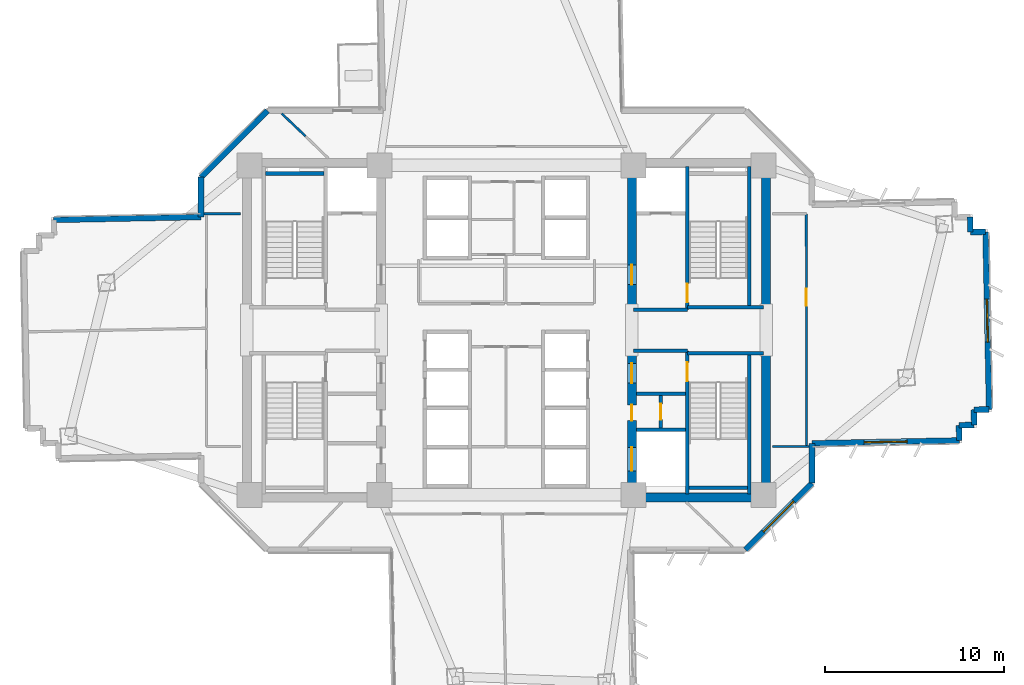
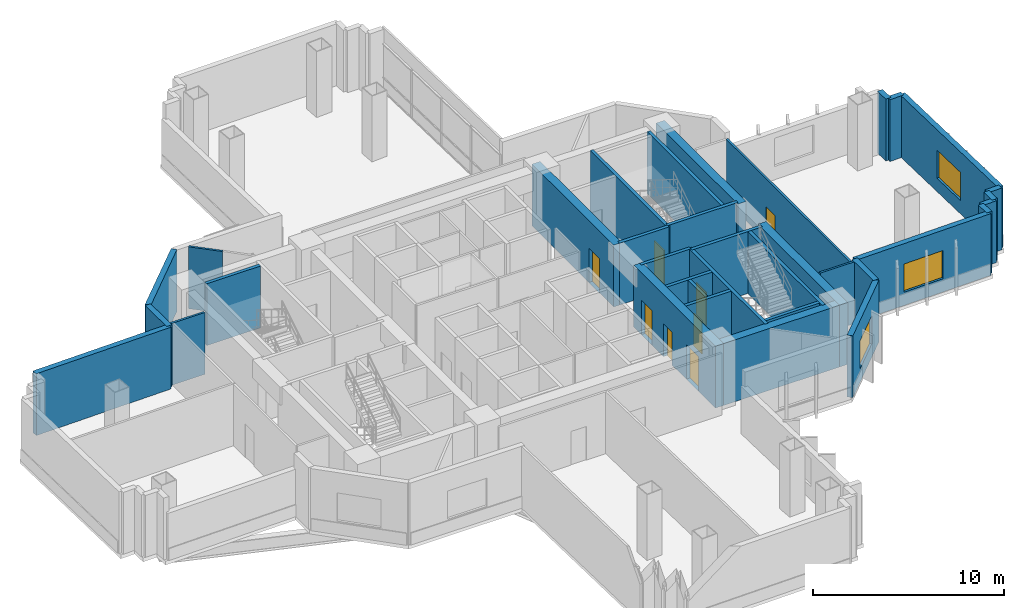
# One storey, part 8 of 15: 35 walls, 8 doors, 3 windows, 11 openings.
"""IFC4 building model written with IfcOpenShell, lengths in metres."""

from ifc_helpers import new_model, si_unit, direction, frame, frame_2d, origin, place, context, subcontext, project, spatial, rectangle, extrude, source, transform, mapped, material, layer, layer_set, type_object, element, fill, save


model = new_model("IFC4")

# Units and contexts
model_context = context("Model", 3, precision=1e-05, world=origin(), true_north=direction((0.0, 1.0)))
body_context = subcontext(model_context, "Body", "Model", "MODEL_VIEW")
ifc_project = project(units=[si_unit("LENGTHUNIT", "METRE"), si_unit("AREAUNIT", "SQUARE_METRE"), si_unit("VOLUMEUNIT", "CUBIC_METRE"), si_unit("PLANEANGLEUNIT", "RADIAN"), si_unit("MASSUNIT", "GRAM", prefix="KILO")], contexts=[model_context])

# Site, building, storey
site_placement = place(None, origin())
site = spatial("IfcSite", under=ifc_project, at=site_placement, CompositionType="ELEMENT")
building_placement = place(site_placement, origin())
building = spatial("IfcBuilding", under=site, at=building_placement, Name="Zahravan Cultural Tower", CompositionType="ELEMENT")
storey_placement = place(building_placement, frame((0.0, 0.0, 50.10009765625)))
storey = spatial("IfcBuildingStorey", under=building, at=storey_placement, Name="L10", CompositionType="ELEMENT", Elevation=50.10009765625)

# Wall, openings, doors
ifc_material_1 = material(Name="Concrete C60/75", Category="concrete")
ifc_layer_1 = layer(ifc_material_1, 0.5)
ifc_layer_set_1 = layer_set([ifc_layer_1], Name="Concrete C60/75")
wall_type_1 = type_object("IfcWallType", Name="CW-SHEAR-500-C60", PredefinedType="SHEAR", material=ifc_layer_set_1)
wall_1_placement = place(storey_placement, frame((43.0, 17.39990234375, 0.0), z_axis=(0.0, 0.0, 1.0), x_axis=(0.0, 1.0, 0.0)))
wall_1 = element("IfcWall", 1, at=wall_1_placement, inside=storey, type_object=wall_type_1, Name="L10 Core Shear Wall CW-E-WS-L10", PredefinedType="SHEAR", context=body_context, shape_type="SweptSolid", body=[
    extrude(rectangle(XDim=8.550048828125, YDim=0.5, at=frame_2d((4.27490234375, 0.0))), origin(), (0.0, 0.0, 1.0), 3.949951171875),
])
opening_1_placement = place(wall_1_placement, frame((6.64990234375, 0.0, 0.0)))
opening_1 = element("IfcOpeningElement", 2, at=opening_1_placement, cuts=wall_1, Name="Opening D-L10-08", PredefinedType="OPENING", context=body_context, shape_type="SweptSolid", body=[
    extrude(rectangle(XDim=1.10009765625, YDim=2.199951171875, at=frame_2d((0.550048828125, 1.10009765625))), frame((0.0, 0.260009765625, 0.0), z_axis=(0.0, -1.0, 0.0), x_axis=(1.0, 0.0, 0.0)), (0.0, 0.0, 1.0), 0.52001953125),
])
opening_2_placement = place(wall_1_placement, frame((1.75, 0.0, 0.0)))
opening_2 = element("IfcOpeningElement", 3, at=opening_2_placement, cuts=wall_1, Name="Opening LD-L10-03", PredefinedType="OPENING", context=body_context, shape_type="SweptSolid", body=[
    extrude(rectangle(XDim=1.300048828125, YDim=2.199951171875, at=frame_2d((0.64990234375, 1.10009765625))), frame((0.0, 0.260009765625, 0.0), z_axis=(0.0, -1.0, 0.0), x_axis=(1.0, 0.0, 0.0)), (0.0, 0.0, 1.0), 0.52001953125),
])
opening_3_placement = place(wall_1_placement, frame((4.550048828125, 0.0, 0.0)))
opening_3 = element("IfcOpeningElement", 4, at=opening_3_placement, cuts=wall_1, Name="Opening D-L10-11", PredefinedType="OPENING", context=body_context, shape_type="SweptSolid", body=[
    extrude(rectangle(XDim=0.8798828125, YDim=2.10009765625, at=frame_2d((0.43994140625, 1.050048828125))), frame((0.0, 0.260009765625, 0.0), z_axis=(0.0, -1.0, 0.0), x_axis=(1.0, 0.0, 0.0)), (0.0, 0.0, 1.0), 0.52001953125),
])
ifc_material_2 = material(Name="Steel ASTM A572 Grade 50", Category="steel")
door_type_1 = type_object("IfcDoorType", Name="DR-LOBBY-1100", OperationType="NOTDEFINED", PredefinedType="DOOR", material=ifc_material_2)
shared_shape_1 = source(origin(), body_context, "Body", "SweptSolid", [
    extrude(rectangle(XDim=1.10009765625, YDim=2.199951171875, at=frame_2d((0.550048828125, 1.10009765625))), frame((0.0, 0.02490234375, 0.0), z_axis=(0.0, -1.0, 0.0), x_axis=(1.0, 0.0, 0.0)), (0.0, 0.0, 1.0), 0.050048828125),
])
door_1_placement = place(opening_1_placement, origin())
door_1 = element("IfcDoor", 5, at=door_1_placement, inside=storey, type_object=door_type_1, Name="L10 Door D-L10-08", OperationType="SINGLE_SWING_LEFT", OverallHeight=2.199951171875, OverallWidth=1.10009765625, PredefinedType="DOOR", context=body_context, shape_type="MappedRepresentation", body=[
    mapped(shared_shape_1, transform((0.0, 0.0, 0.0), x_axis=(1.0, 0.0, 0.0), y_axis=(0.0, 1.0, 0.0), z_axis=(0.0, 0.0, 1.0), scale=1.0)),
])
fill(opening_1, door_1)
door_type_2 = type_object("IfcDoorType", Name="DR-LIFT-1300", OperationType="DOUBLE_DOOR_SLIDING", PredefinedType="DOOR", material=ifc_material_2)
shared_shape_2 = source(origin(), body_context, "Body", "SweptSolid", [
    extrude(rectangle(XDim=1.300048828125, YDim=2.199951171875, at=frame_2d((0.64990234375, 1.10009765625))), frame((0.0, 0.02490234375, 0.0), z_axis=(0.0, -1.0, 0.0), x_axis=(1.0, 0.0, 0.0)), (0.0, 0.0, 1.0), 0.050048828125),
])
door_2_placement = place(opening_2_placement, origin())
door_2 = element("IfcDoor", 6, at=door_2_placement, inside=storey, type_object=door_type_2, Name="L10 Door LD-L10-03", OperationType="DOUBLE_DOOR_SLIDING", OverallHeight=2.199951171875, OverallWidth=1.300048828125, PredefinedType="DOOR", context=body_context, shape_type="MappedRepresentation", body=[
    mapped(shared_shape_2, transform((0.0, 0.0, 0.0), x_axis=(1.0, 0.0, 0.0), y_axis=(0.0, 1.0, 0.0), z_axis=(0.0, 0.0, 1.0), scale=1.0)),
])
fill(opening_2, door_2)
door_type_3 = type_object("IfcDoorType", Name="DR-SVC-880", OperationType="NOTDEFINED", PredefinedType="DOOR", material=ifc_material_2)
shared_shape_3 = source(origin(), body_context, "Body", "SweptSolid", [
    extrude(rectangle(XDim=0.8798828125, YDim=2.10009765625, at=frame_2d((0.43994140625, 1.050048828125))), frame((0.0, 0.02490234375, 0.0), z_axis=(0.0, -1.0, 0.0), x_axis=(1.0, 0.0, 0.0)), (0.0, 0.0, 1.0), 0.050048828125),
])
door_3_placement = place(opening_3_placement, origin())
door_3 = element("IfcDoor", 7, at=door_3_placement, inside=storey, type_object=door_type_3, Name="L10 Door D-L10-11", OperationType="SINGLE_SWING_RIGHT", OverallHeight=2.10009765625, OverallWidth=0.8798828125, PredefinedType="DOOR", context=body_context, shape_type="MappedRepresentation", body=[
    mapped(shared_shape_3, transform((0.0, 0.0, 0.0), x_axis=(1.0, 0.0, 0.0), y_axis=(0.0, 1.0, 0.0), z_axis=(0.0, 0.0, 1.0), scale=1.0)),
])
fill(opening_3, door_3)

# Wall, opening, door
wall_2_placement = place(storey_placement, frame((43.0, 28.050048828125, 0.0), z_axis=(0.0, 0.0, 1.0), x_axis=(0.0, 1.0, 0.0)))
wall_2 = element("IfcWall", 8, at=wall_2_placement, inside=storey, type_object=wall_type_1, Name="L10 Core Shear Wall CW-E-WN-L10", PredefinedType="SHEAR", context=body_context, shape_type="SweptSolid", body=[
    extrude(rectangle(XDim=8.550048828125, YDim=0.5, at=frame_2d((4.27490234375, 0.0))), origin(), (0.0, 0.0, 1.0), 3.949951171875),
])
opening_4_placement = place(wall_2_placement, frame((1.5, 0.0, 0.0)))
opening_4 = element("IfcOpeningElement", 9, at=opening_4_placement, cuts=wall_2, Name="Opening D-L10-06", PredefinedType="OPENING", context=body_context, shape_type="SweptSolid", body=[
    extrude(rectangle(XDim=1.10009765625, YDim=2.199951171875, at=frame_2d((0.550048828125, 1.10009765625))), frame((0.0, 0.260009765625, 0.0), z_axis=(0.0, -1.0, 0.0), x_axis=(1.0, 0.0, 0.0)), (0.0, 0.0, 1.0), 0.52001953125),
])
door_4_placement = place(opening_4_placement, origin())
door_4 = element("IfcDoor", 10, at=door_4_placement, inside=storey, type_object=door_type_1, Name="L10 Door D-L10-06", OperationType="SINGLE_SWING_LEFT", OverallHeight=2.199951171875, OverallWidth=1.10009765625, PredefinedType="DOOR", context=body_context, shape_type="MappedRepresentation", body=[
    mapped(shared_shape_1, transform((0.0, 0.0, 0.0), x_axis=(1.0, 0.0, 0.0), y_axis=(0.0, 1.0, 0.0), z_axis=(0.0, 0.0, 1.0), scale=1.0)),
])
fill(opening_4, door_4)

# Wall, opening, window
ifc_material_3 = material(Name="Precast concrete C40/50", Category="concrete")
ifc_layer_2 = layer(ifc_material_3, 0.320068359375)
ifc_layer_set_2 = layer_set([ifc_layer_2], Name="Precast concrete C40/50")
wall_type_2 = type_object("IfcWallType", Name="EW-TC-320", PredefinedType="SOLIDWALL", material=ifc_layer_set_2)
wall_3_placement = place(storey_placement, frame((62.756103515625, 32.493408203125, 0.0), z_axis=(0.0, 0.0, 1.0), x_axis=(0.019885787333, -0.99980225818, 0.0)))
wall_3 = element("IfcWall", 11, at=wall_3_placement, inside=storey, type_object=wall_type_2, Name="L10 Exterior Masonry Frame Wall 06", PredefinedType="SOLIDWALL", context=body_context, shape_type="SweptSolid", body=[
    extrude(rectangle(XDim=9.919921875, YDim=0.320068359375, at=frame_2d((4.9599609375, 0.0))), origin(), (0.0, 0.0, 1.0), 3.949951171875),
])
opening_5_placement = place(wall_3_placement, frame((3.760009765625, 0.0, 0.85009765625)))
opening_5 = element("IfcOpeningElement", 12, at=opening_5_placement, cuts=wall_3, Name="Opening WN-01", PredefinedType="OPENING", context=body_context, shape_type="SweptSolid", body=[
    extrude(rectangle(XDim=2.39990234375, YDim=1.800048828125, at=frame_2d((1.199951171875, 0.89990234375))), frame((0.0, 0.169921875, 0.0), z_axis=(0.0, -1.0, 0.0), x_axis=(1.0, 0.0, 0.0)), (0.0, 0.0, 1.0), 0.340087890625),
])
ifc_material_4 = material(Name="Low-E solar-control double glazing", Category="glass")
window_type = type_object("IfcWindowType", Name="WN-REC-2400X1800", PartitioningType="DOUBLE_PANEL_VERTICAL", PredefinedType="WINDOW", material=ifc_material_4)
shared_shape_4 = source(origin(), body_context, "Body", "SweptSolid", [
    extrude(rectangle(XDim=2.39990234375, YDim=1.800048828125, at=frame_2d((1.199951171875, 0.89990234375))), frame((0.0, 0.030029296875, 0.0), z_axis=(0.0, -1.0, 0.0), x_axis=(1.0, 0.0, 0.0)), (0.0, 0.0, 1.0), 0.06005859375),
])
window_1_placement = place(opening_5_placement, origin())
window_1 = element("IfcWindow", 13, at=window_1_placement, inside=storey, type_object=window_type, Name="L10 Recessed Solar Window 02", OverallHeight=1.800048828125, OverallWidth=2.39990234375, PartitioningType="DOUBLE_PANEL_VERTICAL", PredefinedType="WINDOW", context=body_context, shape_type="MappedRepresentation", body=[
    mapped(shared_shape_4, transform((0.0, 0.0, 0.0), x_axis=(1.0, 0.0, 0.0), y_axis=(0.0, 1.0, 0.0), z_axis=(0.0, 0.0, 1.0), scale=1.0)),
])
fill(opening_5, window_1)

wall_4_placement = place(storey_placement, frame((61.28759765625, 20.841796875, 0.0), z_axis=(0.0, 0.0, 1.0), x_axis=(-0.999801835372, -0.019907033577, 0.0)))
wall_4 = element("IfcWall", 14, at=wall_4_placement, inside=storey, type_object=wall_type_2, Name="L10 Exterior Masonry Frame Wall 11", PredefinedType="SOLIDWALL", context=body_context, shape_type="SweptSolid", body=[
    extrude(rectangle(XDim=8.229248046875, YDim=0.320068359375, at=frame_2d((4.11474609375, 0.0))), origin(), (0.0, 0.0, 1.0), 3.949951171875),
])
opening_6_placement = place(wall_4_placement, frame((2.9150390625, 0.0, 0.85009765625)))
opening_6 = element("IfcOpeningElement", 15, at=opening_6_placement, cuts=wall_4, Name="Opening WN-01", PredefinedType="OPENING", context=body_context, shape_type="SweptSolid", body=[
    extrude(rectangle(XDim=2.39990234375, YDim=1.800048828125, at=frame_2d((1.199951171875, 0.89990234375))), frame((0.0, 0.169921875, 0.0), z_axis=(0.0, -1.0, 0.0), x_axis=(1.0, 0.0, 0.0)), (0.0, 0.0, 1.0), 0.340087890625),
])
window_2_placement = place(opening_6_placement, origin())
window_2 = element("IfcWindow", 16, at=window_2_placement, inside=storey, type_object=window_type, Name="L10 Recessed Solar Window 03", OverallHeight=1.800048828125, OverallWidth=2.39990234375, PartitioningType="DOUBLE_PANEL_VERTICAL", PredefinedType="WINDOW", context=body_context, shape_type="MappedRepresentation", body=[
    mapped(shared_shape_4, transform((0.0, 0.0, 0.0), x_axis=(1.0, 0.0, 0.0), y_axis=(0.0, 1.0, 0.0), z_axis=(0.0, 0.0, 1.0), scale=1.0)),
])
fill(opening_6, window_2)

wall_5_placement = place(storey_placement, frame((53.06005859375, 18.4580078125, 0.0), z_axis=(0.0, 0.0, 1.0), x_axis=(-0.707106781187, -0.707106781187, 0.0)))
wall_5 = element("IfcWall", 17, at=wall_5_placement, inside=storey, type_object=wall_type_2, Name="L10 Exterior Masonry Frame Wall 13", PredefinedType="SOLIDWALL", context=body_context, shape_type="SweptSolid", body=[
    extrude(rectangle(XDim=5.258056640625, YDim=0.320068359375, at=frame_2d((2.62890625, 0.0))), origin(), (0.0, 0.0, 1.0), 3.949951171875),
])
opening_7_placement = place(wall_5_placement, frame((1.428955078125, 0.0, 0.85009765625)))
opening_7 = element("IfcOpeningElement", 18, at=opening_7_placement, cuts=wall_5, Name="Opening WN-01", PredefinedType="OPENING", context=body_context, shape_type="SweptSolid", body=[
    extrude(rectangle(XDim=2.39990234375, YDim=1.800048828125, at=frame_2d((1.199951171875, 0.89990234375))), frame((0.0, 0.169921875, 0.0), z_axis=(0.0, -1.0, 0.0), x_axis=(1.0, 0.0, 0.0)), (0.0, 0.0, 1.0), 0.340087890625),
])
window_3_placement = place(opening_7_placement, origin())
window_3 = element("IfcWindow", 19, at=window_3_placement, inside=storey, type_object=window_type, Name="L10 Recessed Solar Window 04", OverallHeight=1.800048828125, OverallWidth=2.39990234375, PartitioningType="DOUBLE_PANEL_VERTICAL", PredefinedType="WINDOW", context=body_context, shape_type="MappedRepresentation", body=[
    mapped(shared_shape_4, transform((0.0, 0.0, 0.0), x_axis=(1.0, 0.0, 0.0), y_axis=(0.0, 1.0, 0.0), z_axis=(0.0, 0.0, 1.0), scale=1.0)),
])
fill(opening_7, window_3)

# Wall, opening, door
ifc_material_5 = material(Name="Gypsum plasterboard partition")
ifc_layer_3 = layer(ifc_material_5, 0.179931640625)
ifc_layer_set_3 = layer_set([ifc_layer_3], Name="Gypsum plasterboard partition")
wall_type_3 = type_object("IfcWallType", Name="W-COMP-180", PredefinedType="PARTITIONING", material=ifc_layer_set_3)
wall_6_placement = place(storey_placement, frame((44.6201171875, 21.550048828125, 0.0), z_axis=(0.0, 0.0, 1.0), x_axis=(0.0, 1.0, 0.0)))
wall_6 = element("IfcWall", 20, at=wall_6_placement, inside=storey, type_object=wall_type_3, Name="L10 Interior Wall 027", PredefinedType="PARTITIONING", context=body_context, shape_type="SweptSolid", body=[
    extrude(rectangle(XDim=1.800048828125, YDim=0.179931640625, at=frame_2d((0.89990234375, 0.0))), origin(), (0.0, 0.0, 1.0), 3.949951171875),
])
opening_8_placement = place(wall_6_placement, frame((0.4599609375, 0.0, 0.0)))
opening_8 = element("IfcOpeningElement", 21, at=opening_8_placement, cuts=wall_6, Name="Opening D-L10-12", PredefinedType="OPENING", context=body_context, shape_type="SweptSolid", body=[
    extrude(rectangle(XDim=0.8798828125, YDim=2.10009765625, at=frame_2d((0.43994140625, 1.050048828125))), frame((0.0, 0.099853515625, 0.0), z_axis=(0.0, -1.0, 0.0), x_axis=(1.0, 0.0, 0.0)), (0.0, 0.0, 1.0), 0.199951171875),
])
door_5_placement = place(opening_8_placement, origin())
door_5 = element("IfcDoor", 22, at=door_5_placement, inside=storey, type_object=door_type_3, Name="L10 Door D-L10-12", OperationType="SINGLE_SWING_LEFT", OverallHeight=2.10009765625, OverallWidth=0.8798828125, PredefinedType="DOOR", context=body_context, shape_type="MappedRepresentation", body=[
    mapped(shared_shape_3, transform((0.0, 0.0, 0.0), x_axis=(1.0, 0.0, 0.0), y_axis=(0.0, 1.0, 0.0), z_axis=(0.0, 0.0, 1.0), scale=1.0)),
])
fill(opening_8, door_5)

ifc_layer_4 = layer(ifc_material_5, 0.125)
ifc_layer_set_4 = layer_set([ifc_layer_4], Name="Gypsum plasterboard partition")
wall_type_4 = type_object("IfcWallType", Name="W-PART-125", PredefinedType="PARTITIONING", material=ifc_layer_set_4)
wall_7_placement = place(storey_placement, frame((52.75, 20.5673828125, 0.0), z_axis=(0.0, 0.0, 1.0), x_axis=(-0.000207700001, 0.99999997843, 0.0)))
wall_7 = element("IfcWall", 23, at=wall_7_placement, inside=storey, type_object=wall_type_4, Name="L10 Interior Wall 100", PredefinedType="PARTITIONING", context=body_context, shape_type="SweptSolid", body=[
    extrude(rectangle(XDim=12.929931640625, YDim=0.125, at=frame_2d((6.46484375, 0.0))), origin(), (0.0, 0.0, 1.0), 3.949951171875),
])
opening_9_placement = place(wall_7_placement, frame((7.786865234375, 0.0, 0.0)))
opening_9 = element("IfcOpeningElement", 24, at=opening_9_placement, cuts=wall_7, Name="Opening D-L10-19", PredefinedType="OPENING", context=body_context, shape_type="SweptSolid", body=[
    extrude(rectangle(XDim=0.949951171875, YDim=2.14990234375, at=frame_2d((0.47509765625, 1.074951171875))), frame((0.0, 0.072509765625, 0.0), z_axis=(0.0, -1.0, 0.0), x_axis=(1.0, 0.0, 0.0)), (0.0, 0.0, 1.0), 0.14501953125),
])
ifc_material_6 = material(Name="Anodised bronze-aluminium mullion", Category="aluminium")
door_type_4 = type_object("IfcDoorType", Name="DR-ROOM-950", OperationType="NOTDEFINED", PredefinedType="DOOR", material=ifc_material_6)
shared_shape_5 = source(origin(), body_context, "Body", "SweptSolid", [
    extrude(rectangle(XDim=0.949951171875, YDim=2.14990234375, at=frame_2d((0.47509765625, 1.074951171875))), frame((0.0, 0.02490234375, 0.0), z_axis=(0.0, -1.0, 0.0), x_axis=(1.0, 0.0, 0.0)), (0.0, 0.0, 1.0), 0.050048828125),
])
door_6_placement = place(opening_9_placement, origin())
door_6 = element("IfcDoor", 25, at=door_6_placement, inside=storey, type_object=door_type_4, Name="L10 Door D-L10-19", OperationType="SINGLE_SWING_RIGHT", OverallHeight=2.14990234375, OverallWidth=0.949951171875, PredefinedType="DOOR", context=body_context, shape_type="MappedRepresentation", body=[
    mapped(shared_shape_5, transform((0.0, 0.0, 0.0), x_axis=(1.0, 0.0, 0.0), y_axis=(0.0, 1.0, 0.0), z_axis=(0.0, 0.0, 1.0), scale=1.0)),
])
fill(opening_9, door_6)

ifc_material_7 = material(Name="Concrete C45/55", Category="concrete")
ifc_layer_5 = layer(ifc_material_7, 0.199951171875)
ifc_layer_set_5 = layer_set([ifc_layer_5], Name="Concrete C45/55")
wall_type_5 = type_object("IfcWallType", Name="W-SHAFT-200", PredefinedType="SOLIDWALL", material=ifc_layer_set_5)
wall_8_placement = place(storey_placement, frame((46.10009765625, 17.85009765625, 0.0), z_axis=(0.0, 0.0, 1.0), x_axis=(0.0, 1.0, 0.0)))
wall_8 = element("IfcWall", 26, at=wall_8_placement, inside=storey, type_object=wall_type_5, Name="L10 Interior Wall 007", PredefinedType="SOLIDWALL", context=body_context, shape_type="SweptSolid", body=[
    extrude(rectangle(XDim=8.0, YDim=0.199951171875, at=frame_2d((4.0, 0.0))), origin(), (0.0, 0.0, 1.0), 3.949951171875),
])
opening_10_placement = place(wall_8_placement, frame((6.300048828125, 0.0, 0.0)))
opening_10 = element("IfcOpeningElement", 27, at=opening_10_placement, cuts=wall_8, Name="Opening D-L10-03", PredefinedType="OPENING", context=body_context, shape_type="SweptSolid", body=[
    extrude(rectangle(XDim=1.050048828125, YDim=2.14990234375, at=frame_2d((0.52490234375, 1.074951171875))), frame((0.0, 0.10986328125, 0.0), z_axis=(0.0, -1.0, 0.0), x_axis=(1.0, 0.0, 0.0)), (0.0, 0.0, 1.0), 0.219970703125),
])
door_type_5 = type_object("IfcDoorType", Name="DR-STAIR-1050", OperationType="NOTDEFINED", PredefinedType="DOOR", material=ifc_material_2)
shared_shape_6 = source(origin(), body_context, "Body", "SweptSolid", [
    extrude(rectangle(XDim=1.050048828125, YDim=2.14990234375, at=frame_2d((0.52490234375, 1.074951171875))), frame((0.0, 0.02490234375, 0.0), z_axis=(0.0, -1.0, 0.0), x_axis=(1.0, 0.0, 0.0)), (0.0, 0.0, 1.0), 0.050048828125),
])
door_7_placement = place(opening_10_placement, origin())
door_7 = element("IfcDoor", 28, at=door_7_placement, inside=storey, type_object=door_type_5, Name="L10 Door D-L10-03", OperationType="SINGLE_SWING_RIGHT", OverallHeight=2.14990234375, OverallWidth=1.050048828125, PredefinedType="DOOR", context=body_context, shape_type="MappedRepresentation", body=[
    mapped(shared_shape_6, transform((0.0, 0.0, 0.0), x_axis=(1.0, 0.0, 0.0), y_axis=(0.0, 1.0, 0.0), z_axis=(0.0, 0.0, 1.0), scale=1.0)),
])
fill(opening_10, door_7)

wall_9_placement = place(storey_placement, frame((46.10009765625, 28.14990234375, 0.0), z_axis=(0.0, 0.0, 1.0), x_axis=(0.0, 1.0, 0.0)))
wall_9 = element("IfcWall", 29, at=wall_9_placement, inside=storey, type_object=wall_type_5, Name="L10 Interior Wall 008", PredefinedType="SOLIDWALL", context=body_context, shape_type="SweptSolid", body=[
    extrude(rectangle(XDim=8.0, YDim=0.199951171875, at=frame_2d((4.0, 0.0))), origin(), (0.0, 0.0, 1.0), 3.949951171875),
])
opening_11_placement = place(wall_9_placement, frame((0.39990234375, 0.0, 0.0)))
opening_11 = element("IfcOpeningElement", 30, at=opening_11_placement, cuts=wall_9, Name="Opening D-L10-02", PredefinedType="OPENING", context=body_context, shape_type="SweptSolid", body=[
    extrude(rectangle(XDim=1.050048828125, YDim=2.14990234375, at=frame_2d((0.52490234375, 1.074951171875))), frame((0.0, 0.10986328125, 0.0), z_axis=(0.0, -1.0, 0.0), x_axis=(1.0, 0.0, 0.0)), (0.0, 0.0, 1.0), 0.219970703125),
])
door_8_placement = place(opening_11_placement, origin())
door_8 = element("IfcDoor", 31, at=door_8_placement, inside=storey, type_object=door_type_5, Name="L10 Door D-L10-02", OperationType="SINGLE_SWING_LEFT", OverallHeight=2.14990234375, OverallWidth=1.050048828125, PredefinedType="DOOR", context=body_context, shape_type="MappedRepresentation", body=[
    mapped(shared_shape_6, transform((0.0, 0.0, 0.0), x_axis=(1.0, 0.0, 0.0), y_axis=(0.0, 1.0, 0.0), z_axis=(0.0, 0.0, 1.0), scale=1.0)),
])
fill(opening_11, door_8)

# Walls
shared_shape_7 = source(origin(), body_context, "Body", "SweptSolid", [
    extrude(rectangle(XDim=8.550048828125, YDim=0.5, at=frame_2d((4.27490234375, 0.0))), origin(), (0.0, 0.0, 1.0), 3.949951171875),
])
for number, where, z_axis, x_axis, name in (
    (32, (50.5, 17.39990234375, 0.0), (0.0, 0.0, 1.0), (0.0, 1.0, 0.0), "L10 Core Shear Wall CW-E-ES-L10"),
    (33, (50.5, 28.050048828125, 0.0), (0.0, 0.0, 1.0), (0.0, 1.0, 0.0), "L10 Core Shear Wall CW-E-EN-L10"),
):
    element("IfcWall", number, at=place(storey_placement, frame(where, z_axis=z_axis, x_axis=x_axis)), inside=storey, type_object=wall_type_1, Name=name, PredefinedType="SHEAR", context=body_context, shape_type="MappedRepresentation", body=[
        mapped(shared_shape_7, transform((0.0, 0.0, 0.0), x_axis=(1.0, 0.0, 0.0), y_axis=(0.0, 1.0, 0.0), z_axis=(0.0, 0.0, 1.0), scale=1.0)),
    ])
shared_shape_8 = source(origin(), body_context, "Body", "SweptSolid", [
    extrude(rectangle(XDim=7.0, YDim=0.5, at=frame_2d((3.5, 0.0))), origin(), (0.0, 0.0, 1.0), 3.949951171875),
])
wall_10_placement = place(storey_placement, frame((43.25, 17.64990234375, 0.0), z_axis=(0.0, 0.0, 1.0), x_axis=(1.0, 0.0, 0.0)))
element("IfcWall", 34, at=wall_10_placement, inside=storey, type_object=wall_type_1, Name="L10 Core Shear Wall CW-E-S-L10", PredefinedType="SHEAR", context=body_context, shape_type="MappedRepresentation", body=[
    mapped(shared_shape_8, transform((0.0, 0.0, 0.0), x_axis=(1.0, 0.0, 0.0), y_axis=(0.0, 1.0, 0.0), z_axis=(0.0, 0.0, 1.0), scale=1.0)),
])
shared_shape_9 = source(origin(), body_context, "Body", "SweptSolid", [
    extrude(rectangle(XDim=0.85009765625, YDim=0.320068359375, at=frame_2d((0.425048828125, 0.0))), origin(), (0.0, 0.0, 1.0), 3.949951171875),
])
for number, where, z_axis, x_axis, name in (
    (35, (61.88916015625, 33.326416015625, 0.0), (0.0, 0.0, 1.0), (0.020105099409, -0.999797872061, 0.0), "L10 Exterior Masonry Frame Wall 04"),
    (36, (61.90625, 32.4765625, 0.0), (0.0, 0.0, 1.0), (0.999803604205, 0.019817997326, 0.0), "L10 Exterior Masonry Frame Wall 05"),
    (37, (62.953369140625, 22.575439453125, 0.0), (0.0, 0.0, 1.0), (-0.999803604205, -0.019817997326, 0.0), "L10 Exterior Masonry Frame Wall 07"),
    (38, (62.120361328125, 21.70849609375, 0.0), (0.0, 0.0, 1.0), (-0.999803604205, -0.019817997326, 0.0), "L10 Exterior Masonry Frame Wall 09"),
    (39, (61.2705078125, 21.691650390625, 0.0), (0.0, 0.0, 1.0), (0.020105099409, -0.999797872061, 0.0), "L10 Exterior Masonry Frame Wall 10"),
):
    element("IfcWall", number, at=place(storey_placement, frame(where, z_axis=z_axis, x_axis=x_axis)), inside=storey, type_object=wall_type_2, Name=name, PredefinedType="SOLIDWALL", context=body_context, shape_type="MappedRepresentation", body=[
        mapped(shared_shape_9, transform((0.0, 0.0, 0.0), x_axis=(1.0, 0.0, 0.0), y_axis=(0.0, 1.0, 0.0), z_axis=(0.0, 0.0, 1.0), scale=1.0)),
    ])
shared_shape_10 = source(origin(), body_context, "Body", "SweptSolid", [
    extrude(rectangle(XDim=5.258056640625, YDim=0.320068359375, at=frame_2d((2.62890625, 0.0))), origin(), (0.0, 0.0, 1.0), 3.949951171875),
])
wall_11_placement = place(storey_placement, frame((18.93994140625, 35.5419921875, 0.0), z_axis=(0.0, 0.0, 1.0), x_axis=(0.707106781187, 0.707106781187, 0.0)))
element("IfcWall", 40, at=wall_11_placement, inside=storey, type_object=wall_type_2, Name="L10 Exterior Masonry Frame Wall 40", PredefinedType="SOLIDWALL", context=body_context, shape_type="MappedRepresentation", body=[
    mapped(shared_shape_10, transform((0.0, 0.0, 0.0), x_axis=(1.0, 0.0, 0.0), y_axis=(0.0, 1.0, 0.0), z_axis=(0.0, 0.0, 1.0), scale=1.0)),
])
shared_shape_11 = source(origin(), body_context, "Body", "SweptSolid", [
    extrude(rectangle(XDim=0.850341796875, YDim=0.320068359375, at=frame_2d((0.42529296875, 0.0))), origin(), (0.0, 0.0, 1.0), 3.949951171875),
])
wall_12_placement = place(storey_placement, frame((62.103515625, 22.55859375, 0.0), z_axis=(0.0, 0.0, 1.0), x_axis=(0.019812308004, -0.999803716962, 0.0)))
element("IfcWall", 41, at=wall_12_placement, inside=storey, type_object=wall_type_2, Name="L10 Exterior Masonry Frame Wall 08", PredefinedType="SOLIDWALL", context=body_context, shape_type="MappedRepresentation", body=[
    mapped(shared_shape_11, transform((0.0, 0.0, 0.0), x_axis=(1.0, 0.0, 0.0), y_axis=(0.0, 1.0, 0.0), z_axis=(0.0, 0.0, 1.0), scale=1.0)),
])
shared_shape_12 = source(origin(), body_context, "Body", "SweptSolid", [
    extrude(rectangle(XDim=2.219970703125, YDim=0.320068359375, at=frame_2d((1.10986328125, 0.0))), origin(), (0.0, 0.0, 1.0), 3.949951171875),
])
for number, where, z_axis, x_axis, name in (
    (42, (53.06005859375, 20.677978515625, 0.0), (0.0, 0.0, 1.0), (0.0, -1.0, 0.0), "L10 Exterior Masonry Frame Wall 12"),
    (43, (18.93994140625, 33.322021484375, 0.0), (0.0, 0.0, 1.0), (0.0, 1.0, 0.0), "L10 Exterior Masonry Frame Wall 39"),
):
    element("IfcWall", number, at=place(storey_placement, frame(where, z_axis=z_axis, x_axis=x_axis)), inside=storey, type_object=wall_type_2, Name=name, PredefinedType="SOLIDWALL", context=body_context, shape_type="MappedRepresentation", body=[
        mapped(shared_shape_12, transform((0.0, 0.0, 0.0), x_axis=(1.0, 0.0, 0.0), y_axis=(0.0, 1.0, 0.0), z_axis=(0.0, 0.0, 1.0), scale=1.0)),
    ])
shared_shape_13 = source(origin(), body_context, "Body", "SweptSolid", [
    extrude(rectangle(XDim=8.229248046875, YDim=0.320068359375, at=frame_2d((4.11474609375, 0.0))), origin(), (0.0, 0.0, 1.0), 3.949951171875),
])
wall_13_placement = place(storey_placement, frame((10.71240234375, 33.158203125, 0.0), z_axis=(0.0, 0.0, 1.0), x_axis=(0.999801835372, 0.019907033577, 0.0)))
element("IfcWall", 44, at=wall_13_placement, inside=storey, type_object=wall_type_2, Name="L10 Exterior Masonry Frame Wall 38", PredefinedType="SOLIDWALL", context=body_context, shape_type="MappedRepresentation", body=[
    mapped(shared_shape_13, transform((0.0, 0.0, 0.0), x_axis=(1.0, 0.0, 0.0), y_axis=(0.0, 1.0, 0.0), z_axis=(0.0, 0.0, 1.0), scale=1.0)),
])
shared_shape_14 = source(origin(), body_context, "Body", "SweptSolid", [
    extrude(rectangle(XDim=7.869873046875, YDim=0.199951171875, at=frame_2d((3.93505859375, 0.0))), origin(), (0.0, 0.0, 1.0), 3.949951171875),
])
for number, where, z_axis, x_axis, name in (
    (45, (49.550048828125, 17.85009765625, 0.0), (0.0, 0.0, 1.0), (0.0, 1.0, 0.0), "L10 Interior Wall 003"),
    (46, (49.550048828125, 28.280029296875, 0.0), (0.0, 0.0, 1.0), (0.0, 1.0, 0.0), "L10 Interior Wall 004"),
):
    element("IfcWall", number, at=place(storey_placement, frame(where, z_axis=z_axis, x_axis=x_axis)), inside=storey, type_object=wall_type_5, Name=name, PredefinedType="SOLIDWALL", context=body_context, shape_type="MappedRepresentation", body=[
        mapped(shared_shape_14, transform((0.0, 0.0, 0.0), x_axis=(1.0, 0.0, 0.0), y_axis=(0.0, 1.0, 0.0), z_axis=(0.0, 0.0, 1.0), scale=1.0)),
    ])
shared_shape_15 = source(origin(), body_context, "Body", "SweptSolid", [
    extrude(rectangle(XDim=4.25, YDim=0.199951171875, at=frame_2d((2.125, 0.0))), origin(), (0.0, 0.0, 1.0), 3.949951171875),
])
for number, where, z_axis, x_axis, name in (
    (47, (46.10009765625, 25.715087890625, 0.0), (0.0, 0.0, 1.0), (1.0, 0.0, 0.0), "L10 Interior Wall 014"),
    (48, (46.10009765625, 28.284912109375, 0.0), (0.0, 0.0, 1.0), (1.0, 0.0, 0.0), "L10 Interior Wall 016"),
):
    element("IfcWall", number, at=place(storey_placement, frame(where, z_axis=z_axis, x_axis=x_axis)), inside=storey, type_object=wall_type_5, Name=name, PredefinedType="SOLIDWALL", context=body_context, shape_type="MappedRepresentation", body=[
        mapped(shared_shape_15, transform((0.0, 0.0, 0.0), x_axis=(1.0, 0.0, 0.0), y_axis=(0.0, 1.0, 0.0), z_axis=(0.0, 0.0, 1.0), scale=1.0)),
    ])
shared_shape_16 = source(origin(), body_context, "Body", "SweptSolid", [
    extrude(rectangle(XDim=3.0, YDim=0.199951171875, at=frame_2d((1.5, 0.0))), origin(), (0.0, 0.0, 1.0), 3.949951171875),
])
for number, where, z_axis, x_axis, name in (
    (49, (43.10009765625, 25.85009765625, 0.0), (0.0, 0.0, 1.0), (1.0, 0.0, 0.0), "L10 Interior Wall 013"),
    (50, (43.10009765625, 28.14990234375, 0.0), (0.0, 0.0, 1.0), (1.0, 0.0, 0.0), "L10 Interior Wall 015"),
):
    element("IfcWall", number, at=place(storey_placement, frame(where, z_axis=z_axis, x_axis=x_axis)), inside=storey, type_object=wall_type_5, Name=name, PredefinedType="SOLIDWALL", context=body_context, shape_type="MappedRepresentation", body=[
        mapped(shared_shape_16, transform((0.0, 0.0, 0.0), x_axis=(1.0, 0.0, 0.0), y_axis=(0.0, 1.0, 0.0), z_axis=(0.0, 0.0, 1.0), scale=1.0)),
    ])
shared_shape_17 = source(origin(), body_context, "Body", "SweptSolid", [
    extrude(rectangle(XDim=3.25, YDim=0.199951171875, at=frame_2d((1.625, 0.0))), origin(), (0.0, 0.0, 1.0), 3.949951171875),
])
for number, where, z_axis, x_axis, name in (
    (51, (22.550048828125, 35.75, 0.0), (0.0, 0.0, 1.0), (1.0, 0.0, 0.0), "L10 Interior Wall 017"),
    (52, (46.199951171875, 18.199951171875, 0.0), (0.0, 0.0, 1.0), (1.0, 0.0, 0.0), "L10 Interior Wall 020"),
):
    element("IfcWall", number, at=place(storey_placement, frame(where, z_axis=z_axis, x_axis=x_axis)), inside=storey, type_object=wall_type_5, Name=name, PredefinedType="SOLIDWALL", context=body_context, shape_type="MappedRepresentation", body=[
        mapped(shared_shape_17, transform((0.0, 0.0, 0.0), x_axis=(1.0, 0.0, 0.0), y_axis=(0.0, 1.0, 0.0), z_axis=(0.0, 0.0, 1.0), scale=1.0)),
    ])
shared_shape_18 = source(origin(), body_context, "Body", "SweptSolid", [
    extrude(rectangle(XDim=2.75, YDim=0.199951171875, at=frame_2d((1.375, 0.0))), origin(), (0.0, 0.0, 1.0), 3.949951171875),
])
for number, where, z_axis, x_axis, name in (
    (53, (43.25, 23.449951171875, 0.0), (0.0, 0.0, 1.0), (1.0, 0.0, 0.0), "L10 Interior Wall 024"),
    (54, (43.25, 21.449951171875, 0.0), (0.0, 0.0, 1.0), (1.0, 0.0, 0.0), "L10 Interior Wall 025"),
):
    element("IfcWall", number, at=place(storey_placement, frame(where, z_axis=z_axis, x_axis=x_axis)), inside=storey, type_object=wall_type_5, Name=name, PredefinedType="SOLIDWALL", context=body_context, shape_type="MappedRepresentation", body=[
        mapped(shared_shape_18, transform((0.0, 0.0, 0.0), x_axis=(1.0, 0.0, 0.0), y_axis=(0.0, 1.0, 0.0), z_axis=(0.0, 0.0, 1.0), scale=1.0)),
    ])
shared_shape_19 = source(origin(), body_context, "Body", "SweptSolid", [
    extrude(rectangle(XDim=1.82275390625, YDim=0.125, at=frame_2d((0.911376953125, 0.0))), origin(), (0.0, 0.0, 1.0), 3.949951171875),
])
wall_14_placement = place(storey_placement, frame((23.451904296875, 39.094970703125, 0.0), z_axis=(0.0, 0.0, 1.0), x_axis=(0.724303533388, -0.689481248129, 0.0)))
element("IfcWall", 55, at=wall_14_placement, inside=storey, type_object=wall_type_4, Name="L10 Interior Wall 087", PredefinedType="PARTITIONING", context=body_context, shape_type="MappedRepresentation", body=[
    mapped(shared_shape_19, transform((0.0, 0.0, 0.0), x_axis=(1.0, 0.0, 0.0), y_axis=(0.0, 1.0, 0.0), z_axis=(0.0, 0.0, 1.0), scale=1.0)),
])
shared_shape_20 = source(origin(), body_context, "Body", "SweptSolid", [
    extrude(rectangle(XDim=2.04931640625, YDim=0.125, at=frame_2d((1.024658203125, 0.0))), origin(), (0.0, 0.0, 1.0), 3.949951171875),
])
for number, where, z_axis, x_axis, name in (
    (56, (21.1494140625, 33.49658203125, 0.0), (0.0, 0.0, 1.0), (-0.999999992904, -0.000119132713, 0.0), "L10 Interior Wall 089"),
    (57, (50.8505859375, 20.50341796875, 0.0), (0.0, 0.0, 1.0), (0.999998403336, -0.001786987854, 0.0), "L10 Interior Wall 099"),
):
    element("IfcWall", number, at=place(storey_placement, frame(where, z_axis=z_axis, x_axis=x_axis)), inside=storey, type_object=wall_type_4, Name=name, PredefinedType="PARTITIONING", context=body_context, shape_type="MappedRepresentation", body=[
        mapped(shared_shape_20, transform((0.0, 0.0, 0.0), x_axis=(1.0, 0.0, 0.0), y_axis=(0.0, 1.0, 0.0), z_axis=(0.0, 0.0, 1.0), scale=1.0)),
    ])

save(model, "model.ifc")
